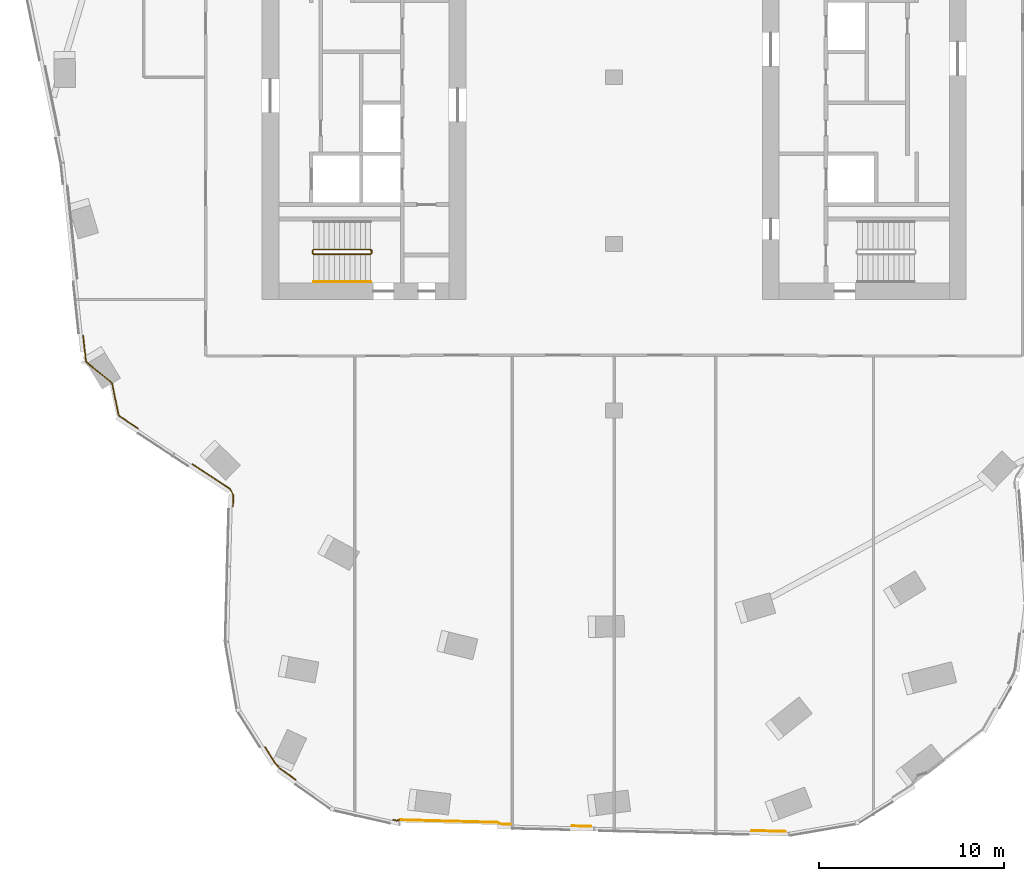
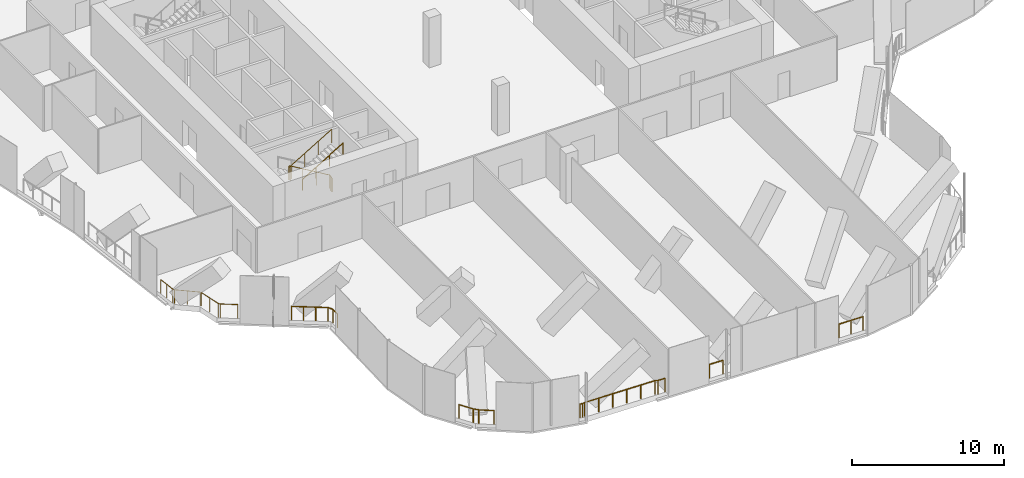
# One storey, part 23 of 26: 9 railings.
"""IFC4 building model written with IfcOpenShell, lengths in metres."""

from ifc_helpers import new_model, si_unit, direction, frame, origin, origin_2d, place, context, subcontext, project, spatial, circle, extrude, material, type_object, element, save


model = new_model("IFC4")

# Units and contexts
model_context = context("Model", 3, precision=1e-05, world=origin(), true_north=direction((0.0, 1.0)))
body_context = subcontext(model_context, "Body", "Model", "MODEL_VIEW")
ifc_project = project(units=[si_unit("LENGTHUNIT", "METRE"), si_unit("AREAUNIT", "SQUARE_METRE"), si_unit("VOLUMEUNIT", "CUBIC_METRE"), si_unit("PLANEANGLEUNIT", "RADIAN"), si_unit("MASSUNIT", "GRAM", prefix="KILO")], contexts=[model_context])

# Site, building, storey
site_placement = place(None, origin())
site = spatial("IfcSite", under=ifc_project, at=site_placement, CompositionType="ELEMENT")
building_placement = place(site_placement, origin())
building = spatial("IfcBuilding", under=site, at=building_placement, Name="Orlundy Tower", CompositionType="ELEMENT")
storey_placement = place(building_placement, frame((0.0, 0.0, 228.0)))
storey = spatial("IfcBuildingStorey", under=building, at=storey_placement, Name="L60", CompositionType="ELEMENT", Elevation=228.0)

# Railings
ifc_material_1 = material(Name="Steel balustrade", Category="steel")
railing_type_1 = type_object("IfcRailingType", Name="Stair Guard 1100", PredefinedType="GUARDRAIL", material=ifc_material_1)
railing_1_placement = place(storey_placement, frame((-13.090087890625, -9.35009765625, 0.0)))
element("IfcRailing", 1, at=railing_1_placement, inside=storey, type_object=railing_type_1, Name="L60 ST-W2 stair guard 1", PredefinedType="GUARDRAIL", context=body_context, shape_type="SweptSolid", body=[
    extrude(circle(Radius=0.02392578125, at=origin_2d()), frame((0.0, 0.0, 1.076171875), z_axis=(0.0, -1.0, 0.0), x_axis=(1.0, 0.0, 0.0)), (0.0, 0.0, 1.0), 0.14990234375),
    extrude(circle(Radius=0.02392578125, at=origin_2d()), frame((0.0, -0.14990234375, 1.076171875), z_axis=(-0.1878875253, 0.754313153044, 0.629054802844), x_axis=(-0.970351222016, -0.241699205484, 0.0)), (0.0, 0.0, 1.0), 0.26513671875),
    extrude(circle(Radius=0.02392578125, at=origin_2d()), frame((-0.0498046875, 0.050048828125, 1.24267578125), z_axis=(-0.859308565015, 0.0, 0.511457515432), x_axis=(0.0, -1.0, 0.0)), (0.0, 0.0, 1.0), 3.58447265625),
    extrude(circle(Radius=0.02392578125, at=origin_2d()), frame((-3.1298828125, 0.050048828125, 3.076171875), z_axis=(-0.707106781187, -0.707106781187, 0.0), x_axis=(0.707106781187, -0.707106781187, 0.0)), (0.0, 0.0, 1.0), 0.07080078125),
    extrude(circle(Radius=0.02392578125, at=origin_2d()), frame((-3.179931640625, 0.0, 3.076171875), z_axis=(0.0, -1.0, 0.0), x_axis=(1.0, 0.0, 0.0)), (0.0, 0.0, 1.0), 0.14990234375),
    extrude(circle(Radius=0.02392578125, at=origin_2d()), frame((-3.179931640625, -0.14990234375, 3.076171875), z_axis=(0.27628659633, -0.27628659633, 0.920506074601), x_axis=(0.707106781187, 0.707106781187, 0.0)), (0.0, 0.0, 1.0), 0.18115234375),
    extrude(circle(Radius=0.02392578125, at=origin_2d()), frame((-3.1298828125, -0.199951171875, 3.24267578125), z_axis=(0.859308565015, 0.0, 0.511457515432), x_axis=(0.0, 1.0, 0.0)), (0.0, 0.0, 1.0), 3.58447265625),
    extrude(circle(Radius=0.02099609375, at=origin_2d()), origin(), (0.0, 0.0, 1.0), 1.052001953125),
    extrude(circle(Radius=0.02099609375, at=origin_2d()), frame((0.0, -0.14990234375, 0.0)), (0.0, 0.0, 1.0), 1.052001953125),
    extrude(circle(Radius=0.02099609375, at=origin_2d()), frame((-0.0498046875, 0.050048828125, 0.166748046875)), (0.0, 0.0, 1.0), 1.052001953125),
    extrude(circle(Radius=0.02099609375, at=origin_2d()), frame((-1.076416015625, 0.050048828125, 0.77783203125)), (0.0, 0.0, 1.0), 1.052001953125),
    extrude(circle(Radius=0.02099609375, at=origin_2d()), frame((-2.103271484375, 0.050048828125, 1.388916015625)), (0.0, 0.0, 1.0), 1.052001953125),
    extrude(circle(Radius=0.02099609375, at=origin_2d()), frame((-3.1298828125, 0.050048828125, 2.0)), (0.0, 0.0, 1.0), 1.052001953125),
    extrude(circle(Radius=0.02099609375, at=origin_2d()), frame((-3.179931640625, 0.0, 2.0)), (0.0, 0.0, 1.0), 1.052001953125),
    extrude(circle(Radius=0.02099609375, at=origin_2d()), frame((-3.179931640625, -0.14990234375, 2.0)), (0.0, 0.0, 1.0), 1.052001953125),
    extrude(circle(Radius=0.02099609375, at=origin_2d()), frame((-3.1298828125, -0.199951171875, 2.166748046875)), (0.0, 0.0, 1.0), 1.052001953125),
    extrude(circle(Radius=0.02099609375, at=origin_2d()), frame((-2.103271484375, -0.199951171875, 2.77783203125)), (0.0, 0.0, 1.0), 1.052001953125),
    extrude(circle(Radius=0.02099609375, at=origin_2d()), frame((-1.076416015625, -0.199951171875, 3.388916015625)), (0.0, 0.0, 1.0), 1.052001953125),
    extrude(circle(Radius=0.02099609375, at=origin_2d()), frame((-0.0498046875, -0.199951171875, 4.0)), (0.0, 0.0, 1.0), 1.052001953125),
])
ifc_material_2 = material(Name="Steel handrail", Category="steel")
railing_type_2 = type_object("IfcRailingType", Name="Stair Handrail 900", PredefinedType="HANDRAIL", material=ifc_material_2)
railing_2_placement = place(storey_placement, frame((-16.219970703125, -11.050048828125, 2.166748046875)))
element("IfcRailing", 2, at=railing_2_placement, inside=storey, type_object=railing_type_2, Name="L60 ST-W2 stair handrail 2", PredefinedType="HANDRAIL", context=body_context, shape_type="SweptSolid", body=[
    extrude(circle(Radius=0.02392578125, at=origin_2d()), frame((0.0, 0.0, 0.8759765625), z_axis=(0.859308565015, 0.0, 0.511457515432), x_axis=(0.0, 1.0, 0.0)), (0.0, 0.0, 1.0), 3.58447265625),
    extrude(circle(Radius=0.02099609375, at=origin_2d()), origin(), (0.0, 0.0, 1.0), 0.851806640625),
    extrude(circle(Radius=0.02099609375, at=origin_2d()), frame((1.026611328125, 0.0, 0.611083984375)), (0.0, 0.0, 1.0), 0.851806640625),
    extrude(circle(Radius=0.02099609375, at=origin_2d()), frame((2.053466796875, 0.0, 1.22216796875)), (0.0, 0.0, 1.0), 0.851806640625),
    extrude(circle(Radius=0.02099609375, at=origin_2d()), frame((3.080078125, 0.0, 1.833251953125)), (0.0, 0.0, 1.0), 0.851806640625),
])
ifc_material_3 = material(Name="Stainless steel bronze finish", Category="steel")
railing_type_3 = type_object("IfcRailingType", Name="TG1 terrace guard", PredefinedType="GUARDRAIL", material=ifc_material_3)
railing_3_placement = place(storey_placement, frame((-25.695068359375, -18.958984375, 0.0)))
element("IfcRailing", 3, at=railing_3_placement, inside=storey, type_object=railing_type_3, Name="Guard TG-L60-E00", PredefinedType="GUARDRAIL", context=body_context, shape_type="SweptSolid", body=[
    extrude(circle(Radius=0.02490234375, at=origin_2d()), frame((0.0, 0.0, 1.09521484375), z_axis=(-0.835482271673, 0.549517400743, 0.0), x_axis=(-0.549517400743, -0.835482271673, 0.0)), (0.0, 0.0, 1.0), 1.176513671875),
    extrude(circle(Radius=0.02490234375, at=origin_2d()), frame((-0.98291015625, 0.646484375, 1.09521484375), z_axis=(-0.578619900289, 0.815597333854, 0.0), x_axis=(-0.815597333854, -0.578619900289, 0.0)), (0.0, 0.0, 1.0), 0.12353515625),
    extrude(circle(Radius=0.02490234375, at=origin_2d()), frame((-1.054443359375, 0.747314453125, 1.09521484375), z_axis=(-0.20242085398, 0.979298625484, 0.0), x_axis=(-0.979298625484, -0.20242085398, 0.0)), (0.0, 0.0, 1.0), 1.704345703125),
    extrude(circle(Radius=0.02490234375, at=origin_2d()), frame((-1.3994140625, 2.416259765625, 1.09521484375), z_axis=(-0.519372062995, 0.854548219927, 0.0), x_axis=(-0.854548219927, -0.519372062995, 0.0)), (0.0, 0.0, 1.0), 0.080810546875),
    extrude(circle(Radius=0.02490234375, at=origin_2d()), frame((-1.44140625, 2.4853515625, 1.09521484375), z_axis=(-0.777124807293, 0.629346513369, 0.0), x_axis=(-0.629346513369, -0.777124807293, 0.0)), (0.0, 0.0, 1.0), 1.704833984375),
    extrude(circle(Radius=0.02490234375, at=origin_2d()), frame((-2.766357421875, 3.558349609375, 1.09521484375), z_axis=(-0.459046080799, 0.888412458098, 0.0), x_axis=(-0.888412458098, -0.459046080799, 0.0)), (0.0, 0.0, 1.0), 0.123291015625),
    extrude(circle(Radius=0.02490234375, at=origin_2d()), frame((-2.822998046875, 3.66796875, 1.09521484375), z_axis=(-0.104477060529, 0.994527296671, 0.0), x_axis=(-0.994527296671, -0.104477060529, 0.0)), (0.0, 0.0, 1.0), 1.345947265625),
    extrude(circle(Radius=0.02001953125, at=origin_2d()), origin(), (0.0, 0.0, 1.0), 1.070068359375),
    extrude(circle(Radius=0.02001953125, at=origin_2d()), frame((-0.98291015625, 0.646484375, 0.0)), (0.0, 0.0, 1.0), 1.070068359375),
    extrude(circle(Radius=0.02001953125, at=origin_2d()), frame((-1.054443359375, 0.747314453125, 0.0)), (0.0, 0.0, 1.0), 1.070068359375),
    extrude(circle(Radius=0.02001953125, at=origin_2d()), frame((-1.22705078125, 1.581787109375, 0.0)), (0.0, 0.0, 1.0), 1.070068359375),
    extrude(circle(Radius=0.02001953125, at=origin_2d()), frame((-1.3994140625, 2.416259765625, 0.0)), (0.0, 0.0, 1.0), 1.070068359375),
    extrude(circle(Radius=0.02001953125, at=origin_2d()), frame((-1.44140625, 2.4853515625, 0.0)), (0.0, 0.0, 1.0), 1.070068359375),
    extrude(circle(Radius=0.02001953125, at=origin_2d()), frame((-2.10400390625, 3.02197265625, 0.0)), (0.0, 0.0, 1.0), 1.070068359375),
    extrude(circle(Radius=0.02001953125, at=origin_2d()), frame((-2.766357421875, 3.558349609375, 0.0)), (0.0, 0.0, 1.0), 1.070068359375),
    extrude(circle(Radius=0.02001953125, at=origin_2d()), frame((-2.822998046875, 3.66796875, 0.0)), (0.0, 0.0, 1.0), 1.070068359375),
    extrude(circle(Radius=0.02001953125, at=origin_2d()), frame((-2.893310546875, 4.33740234375, 0.0)), (0.0, 0.0, 1.0), 1.070068359375),
    extrude(circle(Radius=0.02001953125, at=origin_2d()), frame((-2.963623046875, 5.006591796875, 0.0)), (0.0, 0.0, 1.0), 1.070068359375),
])
railing_4_placement = place(storey_placement, frame((-5.601806640625, -40.326904296875, 0.0)))
element("IfcRailing", 4, at=railing_4_placement, inside=storey, type_object=railing_type_3, Name="Guard TG-L60-E02", PredefinedType="GUARDRAIL", context=body_context, shape_type="SweptSolid", body=[
    extrude(circle(Radius=0.02490234375, at=origin_2d()), frame((0.0, 0.0, 1.09521484375), z_axis=(-0.999660892053, 0.02604037056, 0.0), x_axis=(-0.02604037056, -0.999660892053, 0.0)), (0.0, 0.0, 1.0), 0.50634765625),
    extrude(circle(Radius=0.02490234375, at=origin_2d()), frame((-0.506103515625, 0.01318359375, 1.09521484375), z_axis=(-0.918380923405, 0.39569745959, 0.0), x_axis=(-0.39569745959, -0.918380923405, 0.0)), (0.0, 0.0, 1.0), 0.21533203125),
    extrude(circle(Radius=0.02490234375, at=origin_2d()), frame((-0.703857421875, 0.098388671875, 1.09521484375), z_axis=(-0.999657226105, 0.026180723743, 0.0), x_axis=(-0.026180723743, -0.999657226105, 0.0)), (0.0, 0.0, 1.0), 5.25),
    extrude(circle(Radius=0.02001953125, at=origin_2d()), origin(), (0.0, 0.0, 1.0), 1.070068359375),
    extrude(circle(Radius=0.02001953125, at=origin_2d()), frame((-0.506103515625, 0.01318359375, 0.0)), (0.0, 0.0, 1.0), 1.070068359375),
    extrude(circle(Radius=0.02001953125, at=origin_2d()), frame((-0.703857421875, 0.098388671875, 0.0)), (0.0, 0.0, 1.0), 1.070068359375),
    extrude(circle(Radius=0.02001953125, at=origin_2d()), frame((-1.75341796875, 0.1259765625, 0.0)), (0.0, 0.0, 1.0), 1.070068359375),
    extrude(circle(Radius=0.02001953125, at=origin_2d()), frame((-2.80322265625, 0.1533203125, 0.0)), (0.0, 0.0, 1.0), 1.070068359375),
    extrude(circle(Radius=0.02001953125, at=origin_2d()), frame((-3.852783203125, 0.180908203125, 0.0)), (0.0, 0.0, 1.0), 1.070068359375),
    extrude(circle(Radius=0.02001953125, at=origin_2d()), frame((-4.902587890625, 0.208251953125, 0.0)), (0.0, 0.0, 1.0), 1.070068359375),
    extrude(circle(Radius=0.02001953125, at=origin_2d()), frame((-5.9521484375, 0.23583984375, 0.0)), (0.0, 0.0, 1.0), 1.070068359375),
])
railing_5_placement = place(storey_placement, frame((-20.573486328125, -23.179443359375, 0.0)))
element("IfcRailing", 5, at=railing_5_placement, inside=storey, type_object=railing_type_3, Name="Guard TG-L60-E016", PredefinedType="GUARDRAIL", context=body_context, shape_type="SweptSolid", body=[
    extrude(circle(Radius=0.02490234375, at=origin_2d()), frame((0.0, 0.0, 1.09521484375), z_axis=(0.02617112, 0.999657477578, 0.0), x_axis=(-0.999657477578, 0.02617112, 0.0)), (0.0, 0.0, 1.0), 0.61572265625),
    extrude(circle(Radius=0.02490234375, at=origin_2d()), frame((0.01611328125, 0.615478515625, 1.09521484375), z_axis=(-0.46273789172, 0.886495145822, 0.0), x_axis=(-0.886495145822, -0.46273789172, 0.0)), (0.0, 0.0, 1.0), 0.388427734375),
    extrude(circle(Radius=0.02490234375, at=origin_2d()), frame((-0.16357421875, 0.959716796875, 1.09521484375), z_axis=(-0.835472055719, 0.549532932692, 0.0), x_axis=(-0.549532932692, -0.835472055719, 0.0)), (0.0, 0.0, 1.0), 2.41455078125),
    extrude(circle(Radius=0.02001953125, at=origin_2d()), origin(), (0.0, 0.0, 1.0), 1.070068359375),
    extrude(circle(Radius=0.02001953125, at=origin_2d()), frame((0.01611328125, 0.615478515625, 0.0)), (0.0, 0.0, 1.0), 1.070068359375),
    extrude(circle(Radius=0.02001953125, at=origin_2d()), frame((-0.16357421875, 0.959716796875, 0.0)), (0.0, 0.0, 1.0), 1.070068359375),
    extrude(circle(Radius=0.02001953125, at=origin_2d()), frame((-0.8359375, 1.402099609375, 0.0)), (0.0, 0.0, 1.0), 1.070068359375),
    extrude(circle(Radius=0.02001953125, at=origin_2d()), frame((-1.508544921875, 1.84423828125, 0.0)), (0.0, 0.0, 1.0), 1.070068359375),
    extrude(circle(Radius=0.02001953125, at=origin_2d()), frame((-2.180908203125, 2.28662109375, 0.0)), (0.0, 0.0, 1.0), 1.070068359375),
])
railing_6_placement = place(storey_placement, frame((-17.186279296875, -37.920654296875, 0.0)))
element("IfcRailing", 6, at=railing_6_placement, inside=storey, type_object=railing_type_3, Name="Guard TG-L60-E022", PredefinedType="GUARDRAIL", context=body_context, shape_type="SweptSolid", body=[
    extrude(circle(Radius=0.02490234375, at=origin_2d()), frame((0.0, 0.0, 1.09521484375), z_axis=(-0.816787269104, 0.576938954336, 0.0), x_axis=(-0.576938954336, -0.816787269104, 0.0)), (0.0, 0.0, 1.0), 1.01171875),
    extrude(circle(Radius=0.02490234375, at=origin_2d()), frame((-0.826416015625, 0.583740234375, 1.09521484375), z_axis=(-0.688068055896, 0.725646160643, 0.0), x_axis=(-0.725646160643, -0.688068055896, 0.0)), (0.0, 0.0, 1.0), 0.376708984375),
    extrude(circle(Radius=0.02490234375, at=origin_2d()), frame((-1.085693359375, 0.857177734375, 1.09521484375), z_axis=(-0.533538447197, 0.845775812708, 0.0), x_axis=(-0.845775812708, -0.533538447197, 0.0)), (0.0, 0.0, 1.0), 1.0712890625),
    extrude(circle(Radius=0.02001953125, at=origin_2d()), origin(), (0.0, 0.0, 1.0), 1.070068359375),
    extrude(circle(Radius=0.02001953125, at=origin_2d()), frame((-0.826416015625, 0.583740234375, 0.0)), (0.0, 0.0, 1.0), 1.070068359375),
    extrude(circle(Radius=0.02001953125, at=origin_2d()), frame((-1.085693359375, 0.857177734375, 0.0)), (0.0, 0.0, 1.0), 1.070068359375),
    extrude(circle(Radius=0.02001953125, at=origin_2d()), frame((-1.6572265625, 1.76318359375, 0.0)), (0.0, 0.0, 1.0), 1.070068359375),
])
railing_7_placement = place(storey_placement, frame((9.237060546875, -40.7158203125, 0.0)))
element("IfcRailing", 7, at=railing_7_placement, inside=storey, type_object=railing_type_3, Name="Guard TG-L60-E024", PredefinedType="GUARDRAIL", context=body_context, shape_type="SweptSolid", body=[
    extrude(circle(Radius=0.02490234375, at=origin_2d()), frame((0.0, 0.0, 1.09521484375), z_axis=(-0.999657827305, 0.026157758092, 0.0), x_axis=(-0.026157758092, -0.999657827305, 0.0)), (0.0, 0.0, 1.0), 1.810791015625),
    extrude(circle(Radius=0.02001953125, at=origin_2d()), origin(), (0.0, 0.0, 1.0), 1.070068359375),
    extrude(circle(Radius=0.02001953125, at=origin_2d()), frame((-0.905029296875, 0.023681640625, 0.0)), (0.0, 0.0, 1.0), 1.070068359375),
    extrude(circle(Radius=0.02001953125, at=origin_2d()), frame((-1.81005859375, 0.04736328125, 0.0)), (0.0, 0.0, 1.0), 1.070068359375),
])
railing_8_placement = place(storey_placement, frame((-1.259521484375, -40.44091796875, 0.0)))
element("IfcRailing", 8, at=railing_8_placement, inside=storey, type_object=railing_type_3, Name="Guard TG-L60-E025", PredefinedType="GUARDRAIL", context=body_context, shape_type="SweptSolid", body=[
    extrude(circle(Radius=0.02490234375, at=origin_2d()), frame((0.0, 0.0, 1.09521484375), z_axis=(-0.999654760655, 0.026274693149, 0.0), x_axis=(-0.026274693149, -0.999654760655, 0.0)), (0.0, 0.0, 1.0), 1.00341796875),
    extrude(circle(Radius=0.02001953125, at=origin_2d()), origin(), (0.0, 0.0, 1.0), 1.070068359375),
    extrude(circle(Radius=0.02001953125, at=origin_2d()), frame((-1.003173828125, 0.0263671875, 0.0)), (0.0, 0.0, 1.0), 1.070068359375),
])
railing_9_placement = place(storey_placement, frame((-11.553955078125, -40.091064453125, 0.0)))
element("IfcRailing", 9, at=railing_9_placement, inside=storey, type_object=railing_type_3, Name="Guard TG-L60-E027", PredefinedType="GUARDRAIL", context=body_context, shape_type="SweptSolid", body=[
    extrude(circle(Radius=0.02490234375, at=origin_2d()), frame((0.0, 0.0, 1.09521484375), z_axis=(-0.98177985059, -0.190021906566, 0.0), x_axis=(0.190021906566, -0.98177985059, 0.0)), (0.0, 0.0, 1.0), 0.192626953125),
    extrude(circle(Radius=0.02490234375, at=origin_2d()), frame((-0.189208984375, -0.03662109375, 1.09521484375), z_axis=(-0.975450364825, 0.220219403693, 0.0), x_axis=(-0.220219403693, -0.975450364825, 0.0)), (0.0, 0.0, 1.0), 0.1806640625),
    extrude(circle(Radius=0.02001953125, at=origin_2d()), origin(), (0.0, 0.0, 1.0), 1.070068359375),
    extrude(circle(Radius=0.02001953125, at=origin_2d()), frame((-0.189208984375, -0.03662109375, 0.0)), (0.0, 0.0, 1.0), 1.070068359375),
    extrude(circle(Radius=0.02001953125, at=origin_2d()), frame((-0.365478515625, 0.003173828125, 0.0)), (0.0, 0.0, 1.0), 1.070068359375),
])

save(model, "model.ifc")
